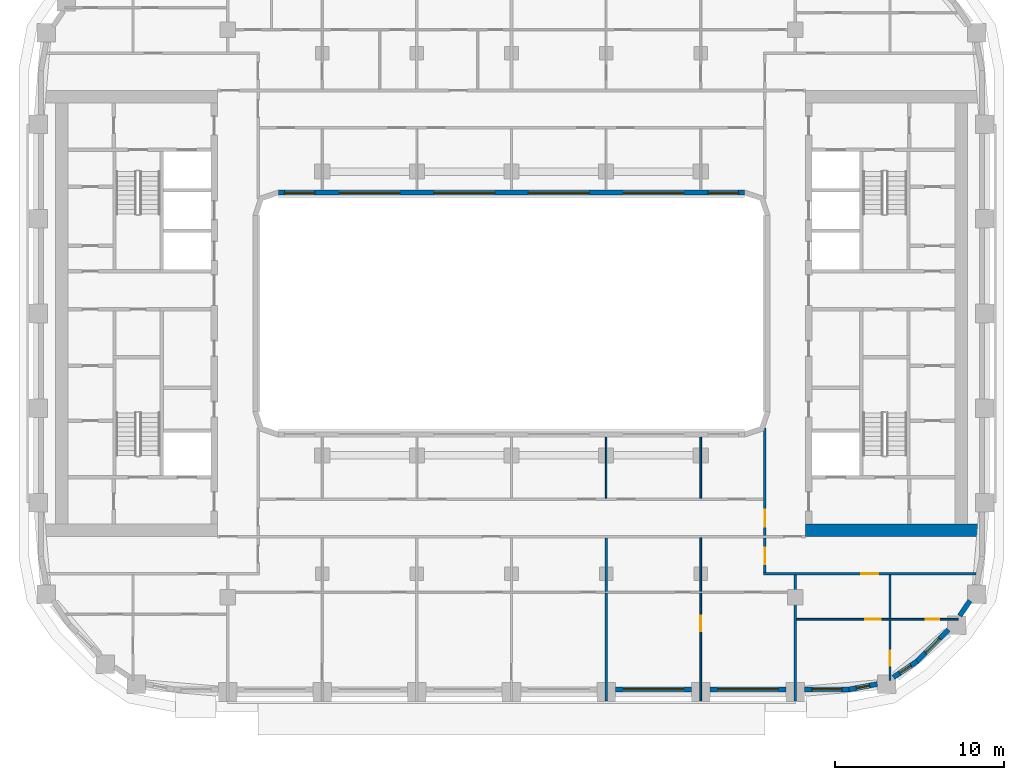
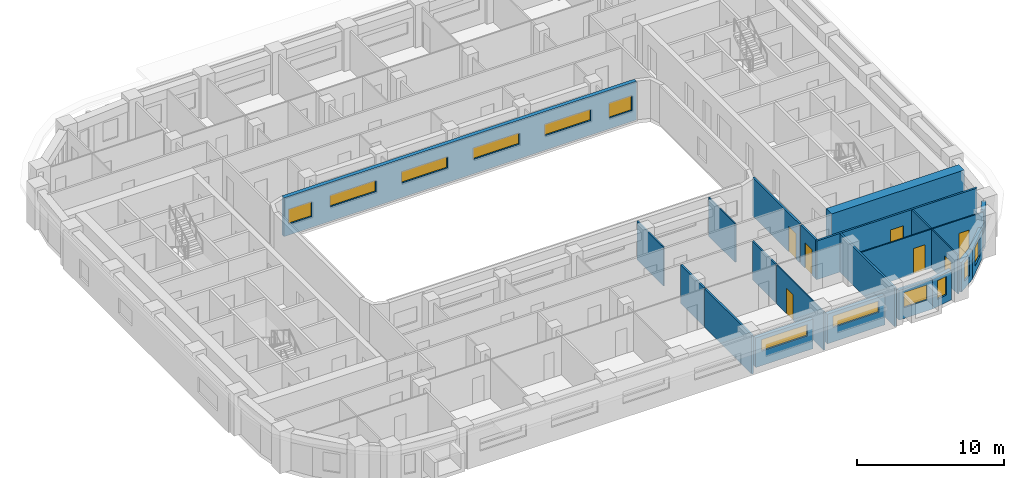
# One storey, part 5 of 22: 22 walls, 12 windows, 7 doors, 19 openings.
"""IFC4 building model written with IfcOpenShell, lengths in metres."""

import ifcopenshell
import ifcopenshell.guid

model = None  # the IFC model being written
_history = None  # IfcOwnerHistory: only IFC2X3 demands one
_inside = {}  # id of a spatial element -> (the spatial element, [elements in it])
_under = {}  # id of a project, library or spatial element -> (it, [spatial elements below it])
_declared = {}  # id of a project -> (the project, [libraries it declares])
_typed = {}  # id of a type object -> (the type object, [elements of that type])
_made_of = {}  # id of a material, layer set ... -> (it, [elements and type objects made of it])


def new_model(schema):
    """Start an empty IFC model of exactly this schema.

    Asked for "IFC4X3", IfcOpenShell would pick the latest addendum, in which some entities
    have other attributes; the version numbers below select the first issue.
    IFC2X3 requires an IfcOwnerHistory on every rooted entity: one is made here for all.
    """
    global model, _history
    if schema == "IFC4X3":
        model = ifcopenshell.file(schema_version=(4, 3, 0, 0))
    else:
        model = ifcopenshell.file(schema=schema)
    _inside.clear()
    _under.clear()
    _declared.clear()
    _typed.clear()
    _made_of.clear()
    _history = None
    if model.schema == "IFC2X3":
        org = make("IfcOrganization", Name="unknown")
        user = make(
            "IfcPersonAndOrganization",
            ThePerson=make("IfcPerson", FamilyName="unknown"),
            TheOrganization=org,
        )
        app = make(
            "IfcApplication",
            ApplicationDeveloper=org,
            Version="unknown",
            ApplicationFullName="unknown",
            ApplicationIdentifier="unknown",
        )
        _history = make(
            "IfcOwnerHistory",
            OwningUser=user,
            OwningApplication=app,
            ChangeAction="ADDED",
            CreationDate=0,
        )
    return model


def make(cls, **values):
    """One entity of the class cls with the attributes given. An attribute that is None is left unset."""
    return model.create_entity(
        cls, **{name: value for name, value in values.items() if value is not None}
    )


def rooted(cls, **values):
    """An entity with a GlobalId (a new one), such as an element, a storey or a relation."""
    return make(cls, GlobalId=ifcopenshell.guid.new(), OwnerHistory=_history, **values)


def si_unit(unit_type, name, prefix=None):
    """IfcSIUnit, for example si_unit("LENGTHUNIT", "METRE", prefix="MILLI")."""
    return make("IfcSIUnit", UnitType=unit_type, Prefix=prefix, Name=name)


def assignment(units):
    """IfcUnitAssignment: the units of a project."""
    return None if units is None else make("IfcUnitAssignment", Units=units)


def point(xyz):
    """IfcCartesianPoint."""
    return None if xyz is None else make("IfcCartesianPoint", Coordinates=xyz)


def direction(xyz):
    """IfcDirection."""
    return None if xyz is None else make("IfcDirection", DirectionRatios=xyz)


def frame(location, z_axis=None, x_axis=None):
    """IfcAxis2Placement3D, a coordinate frame: its origin and axes. An axis left out is left unset."""
    return make(
        "IfcAxis2Placement3D",
        Location=point(location),
        Axis=direction(z_axis),
        RefDirection=direction(x_axis),
    )


def frame_2d(location, x_axis=None):
    """IfcAxis2Placement2D, a coordinate frame in the plane: its origin and x axis."""
    return make(
        "IfcAxis2Placement2D", Location=point(location), RefDirection=direction(x_axis)
    )


def origin():
    """The frame at (0, 0, 0) with its axes left unset."""
    return frame((0.0, 0.0, 0.0))


def place(relative_to, where):
    """IfcLocalPlacement: puts the frame where relative to a parent placement (None: the world)."""
    return make(
        "IfcLocalPlacement", PlacementRelTo=relative_to, RelativePlacement=where
    )


def context(
    kind, dimensions, precision=None, world=None, true_north=None, identifier=None
):
    """IfcGeometricRepresentationContext, for example the 3D "Model" context."""
    return make(
        "IfcGeometricRepresentationContext",
        ContextIdentifier=identifier,
        ContextType=kind,
        CoordinateSpaceDimension=dimensions,
        Precision=precision,
        WorldCoordinateSystem=world,
        TrueNorth=true_north,
    )


def subcontext(parent, identifier, kind, view, scale=None):
    """IfcGeometricRepresentationSubContext, for example "Body" below "Model"."""
    return make(
        "IfcGeometricRepresentationSubContext",
        ContextIdentifier=identifier,
        ContextType=kind,
        ParentContext=parent,
        TargetScale=scale,
        TargetView=view,
    )


def project(units=None, contexts=None):
    """IfcProject with its units and contexts."""
    return rooted(
        "IfcProject",
        Name="project",
        RepresentationContexts=contexts,
        UnitsInContext=assignment(units),
    )


def spatial(cls, under=None, at=None, **own):
    """A site, building, storey or space (cls), placed at a placement, below another one or the project."""
    s = rooted(cls, ObjectPlacement=at, **own)
    if under is not None:
        _under.setdefault(under.id(), (under, []))[1].append(s)
    return s


def profile(cls, at=None, kind="AREA", **sizes):
    """A parametric profile (cls). Its sizes go by their IFC names, for example OverallWidth=200.0."""
    return make(cls, ProfileType=kind, Position=at, **sizes)


def rectangle(**sizes):
    """IfcRectangleProfileDef."""
    return profile("IfcRectangleProfileDef", **sizes)


def extrude(swept, where, along, depth):
    """IfcExtrudedAreaSolid: the profile swept, set in the frame where, extruded along a direction by depth."""
    return make(
        "IfcExtrudedAreaSolid",
        SweptArea=swept,
        Position=where,
        ExtrudedDirection=direction(along),
        Depth=depth,
    )


def shape(context_of_items, identifier, shape_type, items):
    """IfcShapeRepresentation: the items that make up one representation, for example the "Body"."""
    return make(
        "IfcShapeRepresentation",
        ContextOfItems=context_of_items,
        RepresentationIdentifier=identifier,
        RepresentationType=shape_type,
        Items=items,
    )


def material(Name=None, Category=None):
    """IfcMaterial."""
    return make("IfcMaterial", Name=Name, Category=Category)


def layer(
    of_material, thickness, ventilated=None, Name=None, Category=None, Priority=None
):
    """IfcMaterialLayer: one layer of a wall or slab, of a material (None: an air gap)."""
    return make(
        "IfcMaterialLayer",
        Material=of_material,
        LayerThickness=thickness,
        IsVentilated=ventilated,
        Name=Name,
        Category=Category,
        Priority=Priority,
    )


def layer_set(layers, Name=None):
    """IfcMaterialLayerSet."""
    return make("IfcMaterialLayerSet", MaterialLayers=layers, LayerSetName=Name)


def made_of(thing, what):
    """Note that an element or type object is made of a material, layer set ...; save() writes the relation."""
    if what is not None:
        _made_of.setdefault(what.id(), (what, []))[1].append(thing)
    return thing


def type_object(cls, material=None, **own):
    """A type object (cls), such as IfcWallType, which elements share."""
    return made_of(rooted(cls, **own), material)


def element(
    cls,
    number,
    at=None,
    inside=None,
    cuts=None,
    type_object=None,
    material=None,
    context=None,
    identifier="Body",
    shape_type=None,
    held_by="IfcProductDefinitionShape",
    body=None,
    shapes=None,
    **own,
):
    """One element of the class cls, such as IfcWall. Its Tag is "e" and its number.

    at: its placement. inside: the storey or other place that contains it. cuts: it is an
    opening in that element (IfcRelVoidsElement). A single representation is given by context,
    identifier, shape_type and body (its items); several are given by shapes. held_by: the class
    of the entity that holds the representations. save() writes the other relations.
    """
    e = rooted(cls, Tag="e%d" % number, ObjectPlacement=at, **own)
    if body is not None:
        shapes = [shape(context, identifier, shape_type, body)]
    if shapes is not None:
        e.Representation = make(held_by, Representations=shapes)
    if inside is not None:
        _inside.setdefault(inside.id(), (inside, []))[1].append(e)
    if cuts is not None:
        rooted(
            "IfcRelVoidsElement", RelatingBuildingElement=cuts, RelatedOpeningElement=e
        )
    if type_object is not None:
        _typed.setdefault(type_object.id(), (type_object, []))[1].append(e)
    return made_of(e, material)


def fill(opening, filler):
    """IfcRelFillsElement: the door or window that sits in an opening."""
    return rooted(
        "IfcRelFillsElement",
        RelatingOpeningElement=opening,
        RelatedBuildingElement=filler,
    )


def aggregate(whole, parts):
    """IfcRelAggregates: a whole, such as a stair, and the parts it consists of."""
    return rooted("IfcRelAggregates", RelatingObject=whole, RelatedObjects=parts)


def save(model, path):
    """Write the relations noted so far, then the file.

    IfcRelAggregates (storeys below a building ...), IfcRelContainedInSpatialStructure (elements
    in a storey), IfcRelDefinesByType, IfcRelAssociatesMaterial and IfcRelDeclares: one each for
    every whole, place, type object, material and project.
    """
    for whole, parts in _under.values():
        aggregate(whole, parts)
    for where, things in _inside.values():
        rooted(
            "IfcRelContainedInSpatialStructure",
            RelatedElements=things,
            RelatingStructure=where,
        )
    for kind, things in _typed.values():
        rooted("IfcRelDefinesByType", RelatedObjects=things, RelatingType=kind)
    for what, things in _made_of.values():
        rooted("IfcRelAssociatesMaterial", RelatedObjects=things, RelatingMaterial=what)
    for by, libraries in _declared.values():
        rooted("IfcRelDeclares", RelatingContext=by, RelatedDefinitions=libraries)
    model.write(path)


model = new_model("IFC4")

# Units and contexts
model_context = context("Model", 3, precision=1e-05, world=origin(), true_north=direction((0.0, 1.0)))
body_context = subcontext(model_context, "Body", "Model", "MODEL_VIEW")
ifc_project = project(units=[si_unit("LENGTHUNIT", "METRE"), si_unit("AREAUNIT", "SQUARE_METRE"), si_unit("VOLUMEUNIT", "CUBIC_METRE"), si_unit("PLANEANGLEUNIT", "RADIAN"), si_unit("MASSUNIT", "GRAM", prefix="KILO")], contexts=[model_context])

# Site, building, storey
site_placement = place(None, origin())
site = spatial("IfcSite", under=ifc_project, at=site_placement, CompositionType="ELEMENT")
building_placement = place(site_placement, origin())
building = spatial("IfcBuilding", under=site, at=building_placement, Name="Kiln Ring Residences", CompositionType="ELEMENT")
storey_placement = place(building_placement, frame((0.0, 0.0, 150.10009765625)))
storey = spatial("IfcBuildingStorey", under=building, at=storey_placement, Name="L38", CompositionType="ELEMENT", Elevation=150.10009765625)

# Wall
ifc_material_1 = material(Name="Concrete C60/75", Category="concrete")
ifc_layer_1 = layer(ifc_material_1, 0.75)
ifc_layer_set_1 = layer_set([ifc_layer_1], Name="CORE-WALL-RC750")
wall_type_1 = type_object("IfcWallType", Name="CORE-WALL-RC750", PredefinedType="SHEAR", material=ifc_layer_set_1)
wall_1_placement = place(storey_placement, frame((17.39990234375, -12.824951171875, 0.0), z_axis=(0.0, 0.0, 1.0), x_axis=(1.0, 0.0, 0.0)))
element("IfcWall", 1, at=wall_1_placement, inside=storey, type_object=wall_type_1, Name="Core wall east L38 5", PredefinedType="SHEAR", context=body_context, shape_type="SweptSolid", body=[
    extrude(rectangle(XDim=10.400146484375, YDim=0.75, at=frame_2d((5.2001953125, 0.0))), origin(), (0.0, 0.0, 1.0), 3.199951171875),
])

# Wall, opening, window
ifc_material_2 = material(Name="Brick masonry, dark clay brick", Category="masonry")
ifc_layer_2 = layer(ifc_material_2, 0.300048828125)
ifc_layer_set_2 = layer_set([ifc_layer_2], Name="EW-300 BRICK WALL")
wall_type_2 = type_object("IfcWallType", Name="EW-300 BRICK WALL", PredefinedType="SOLIDWALL", material=ifc_layer_set_2)
wall_2_placement = place(storey_placement, frame((6.14990234375, -22.25, 0.0), z_axis=(0.0, 0.0, 1.0), x_axis=(1.0, 0.0, 0.0)))
wall_2 = element("IfcWall", 2, at=wall_2_placement, inside=storey, type_object=wall_type_2, Name="Facade wall L38 9", PredefinedType="SOLIDWALL", context=body_context, shape_type="SweptSolid", body=[
    extrude(rectangle(XDim=4.5, YDim=0.300048828125, at=frame_2d((2.25, 0.0))), origin(), (0.0, 0.0, 1.0), 2.449951171875),
])
opening_1_placement = place(wall_2_placement, frame((0.449951171875, 0.0, 1.199951171875)))
opening_1 = element("IfcOpeningElement", 3, at=opening_1_placement, cuts=wall_2, Name="Opening W4", PredefinedType="OPENING", context=body_context, shape_type="SweptSolid", body=[
    extrude(rectangle(XDim=3.60009765625, YDim=0.949951171875, at=frame_2d((1.800048828125, 0.47509765625))), frame((0.0, 0.159912109375, 0.0), z_axis=(0.0, -1.0, 0.0), x_axis=(1.0, 0.0, 0.0)), (0.0, 0.0, 1.0), 0.320068359375),
])
ifc_material_3 = material(Name="Aluminium frame with double glazing", Category="aluminium")
window_type_1 = type_object("IfcWindowType", Name="WINDOW 3600 x 950", PartitioningType="SINGLE_PANEL", PredefinedType="WINDOW", material=ifc_material_3)
window_1_placement = place(opening_1_placement, origin())
window_1 = element("IfcWindow", 4, at=window_1_placement, inside=storey, type_object=window_type_1, Name="Window L38 8", OverallHeight=0.949951171875, OverallWidth=3.60009765625, PartitioningType="SINGLE_PANEL", PredefinedType="WINDOW", context=body_context, shape_type="SweptSolid", body=[
    extrude(rectangle(XDim=3.60009765625, YDim=0.949951171875, at=frame_2d((1.800048828125, 0.47509765625))), frame((0.0, 0.030029296875, 0.0), z_axis=(0.0, -1.0, 0.0), x_axis=(1.0, 0.0, 0.0)), (0.0, 0.0, 1.0), 0.06005859375),
])
fill(opening_1, window_1)

wall_3_placement = place(storey_placement, frame((11.75, -22.25, 0.0), z_axis=(0.0, 0.0, 1.0), x_axis=(1.0, 0.0, 0.0)))
wall_3 = element("IfcWall", 5, at=wall_3_placement, inside=storey, type_object=wall_type_2, Name="Facade wall L38 10", PredefinedType="SOLIDWALL", context=body_context, shape_type="SweptSolid", body=[
    extrude(rectangle(XDim=4.5, YDim=0.300048828125, at=frame_2d((2.25, 0.0))), origin(), (0.0, 0.0, 1.0), 2.449951171875),
])
opening_2_placement = place(wall_3_placement, frame((0.449951171875, 0.0, 1.199951171875)))
opening_2 = element("IfcOpeningElement", 6, at=opening_2_placement, cuts=wall_3, Name="Opening W4", PredefinedType="OPENING", context=body_context, shape_type="SweptSolid", body=[
    extrude(rectangle(XDim=3.60009765625, YDim=0.949951171875, at=frame_2d((1.800048828125, 0.47509765625))), frame((0.0, 0.159912109375, 0.0), z_axis=(0.0, -1.0, 0.0), x_axis=(1.0, 0.0, 0.0)), (0.0, 0.0, 1.0), 0.320068359375),
])
window_2_placement = place(opening_2_placement, origin())
window_2 = element("IfcWindow", 7, at=window_2_placement, inside=storey, type_object=window_type_1, Name="Window L38 9", OverallHeight=0.949951171875, OverallWidth=3.60009765625, PartitioningType="SINGLE_PANEL", PredefinedType="WINDOW", context=body_context, shape_type="SweptSolid", body=[
    extrude(rectangle(XDim=3.60009765625, YDim=0.949951171875, at=frame_2d((1.800048828125, 0.47509765625))), frame((0.0, 0.030029296875, 0.0), z_axis=(0.0, -1.0, 0.0), x_axis=(1.0, 0.0, 0.0)), (0.0, 0.0, 1.0), 0.06005859375),
])
fill(opening_2, window_2)

wall_4_placement = place(storey_placement, frame((17.35009765625, -22.25, 0.0), z_axis=(0.0, 0.0, 1.0), x_axis=(1.0, 0.0, 0.0)))
wall_4 = element("IfcWall", 8, at=wall_4_placement, inside=storey, type_object=wall_type_2, Name="Facade wall L38 11", PredefinedType="SOLIDWALL", context=body_context, shape_type="SweptSolid", body=[
    extrude(rectangle(XDim=2.64990234375, YDim=0.300048828125, at=frame_2d((1.324951171875, 0.0))), origin(), (0.0, 0.0, 1.0), 2.449951171875),
])
opening_3_placement = place(wall_4_placement, frame((0.425048828125, 0.0, 0.89990234375)))
opening_3 = element("IfcOpeningElement", 9, at=opening_3_placement, cuts=wall_4, Name="Opening W2", PredefinedType="OPENING", context=body_context, shape_type="SweptSolid", body=[
    extrude(rectangle(XDim=1.800048828125, YDim=1.25, at=frame_2d((0.89990234375, 0.625))), frame((0.0, 0.159912109375, 0.0), z_axis=(0.0, -1.0, 0.0), x_axis=(1.0, 0.0, 0.0)), (0.0, 0.0, 1.0), 0.320068359375),
])
ifc_material_4 = material(Name="Aluminium frame with double glazing", Category="aluminium")
window_type_2 = type_object("IfcWindowType", Name="WINDOW 1800 x 1250", PartitioningType="SINGLE_PANEL", PredefinedType="WINDOW", material=ifc_material_4)
window_3_placement = place(opening_3_placement, origin())
window_3 = element("IfcWindow", 10, at=window_3_placement, inside=storey, type_object=window_type_2, Name="Window L38 10", OverallHeight=1.25, OverallWidth=1.800048828125, PartitioningType="SINGLE_PANEL", PredefinedType="WINDOW", context=body_context, shape_type="SweptSolid", body=[
    extrude(rectangle(XDim=1.800048828125, YDim=1.25, at=frame_2d((0.89990234375, 0.625))), frame((0.0, 0.030029296875, 0.0), z_axis=(0.0, -1.0, 0.0), x_axis=(1.0, 0.0, 0.0)), (0.0, 0.0, 1.0), 0.06005859375),
])
fill(opening_3, window_3)

wall_5_placement = place(storey_placement, frame((19.971923828125, -22.252685546875, 0.0), z_axis=(0.0, 0.0, 1.0), x_axis=(0.982297206936, 0.187329114784, 0.0)))
wall_5 = element("IfcWall", 11, at=wall_5_placement, inside=storey, type_object=wall_type_2, Name="Facade wall L38 12", PredefinedType="SOLIDWALL", context=body_context, shape_type="SweptSolid", body=[
    extrude(rectangle(XDim=1.7060546875, YDim=0.300048828125, at=frame_2d((0.85302734375, 0.0))), origin(), (0.0, 0.0, 1.0), 2.449951171875),
])
opening_4_placement = place(wall_5_placement, frame((0.453125, 0.0, 0.60009765625)))
opening_4 = element("IfcOpeningElement", 12, at=opening_4_placement, cuts=wall_5, Name="Opening W5", PredefinedType="OPENING", context=body_context, shape_type="SweptSolid", body=[
    extrude(rectangle(XDim=0.800048828125, YDim=1.550048828125, at=frame_2d((0.39990234375, 0.77490234375))), frame((0.0, 0.159912109375, 0.0), z_axis=(0.0, -1.0, 0.0), x_axis=(1.0, 0.0, 0.0)), (0.0, 0.0, 1.0), 0.320068359375),
])
ifc_material_5 = material(Name="Aluminium frame with double glazing", Category="aluminium")
window_type_3 = type_object("IfcWindowType", Name="WINDOW 800 x 1550", PartitioningType="SINGLE_PANEL", PredefinedType="WINDOW", material=ifc_material_5)
window_4_placement = place(opening_4_placement, origin())
window_4 = element("IfcWindow", 13, at=window_4_placement, inside=storey, type_object=window_type_3, Name="Window L38 11", OverallHeight=1.550048828125, OverallWidth=0.800048828125, PartitioningType="SINGLE_PANEL", PredefinedType="WINDOW", context=body_context, shape_type="SweptSolid", body=[
    extrude(rectangle(XDim=0.800048828125, YDim=1.550048828125, at=frame_2d((0.39990234375, 0.77490234375))), frame((0.0, 0.030029296875, 0.0), z_axis=(0.0, -1.0, 0.0), x_axis=(1.0, 0.0, 0.0)), (0.0, 0.0, 1.0), 0.06005859375),
])
fill(opening_4, window_4)

wall_6_placement = place(storey_placement, frame((22.601806640625, -21.537841796875, 0.0), z_axis=(0.0, 0.0, 1.0), x_axis=(0.827040942766, 0.562141689424, 0.0)))
wall_6 = element("IfcWall", 14, at=wall_6_placement, inside=storey, type_object=wall_type_2, Name="Facade wall L38 13", PredefinedType="SOLIDWALL", context=body_context, shape_type="SweptSolid", body=[
    extrude(rectangle(XDim=1.7060546875, YDim=0.300048828125, at=frame_2d((0.85302734375, 0.0))), origin(), (0.0, 0.0, 1.0), 2.449951171875),
])
opening_5_placement = place(wall_6_placement, frame((0.453125, 0.0, 0.60009765625)))
opening_5 = element("IfcOpeningElement", 15, at=opening_5_placement, cuts=wall_6, Name="Opening W5", PredefinedType="OPENING", context=body_context, shape_type="SweptSolid", body=[
    extrude(rectangle(XDim=0.800048828125, YDim=1.550048828125, at=frame_2d((0.39990234375, 0.77490234375))), frame((0.0, 0.159912109375, 0.0), z_axis=(0.0, -1.0, 0.0), x_axis=(1.0, 0.0, 0.0)), (0.0, 0.0, 1.0), 0.320068359375),
])
window_5_placement = place(opening_5_placement, origin())
window_5 = element("IfcWindow", 16, at=window_5_placement, inside=storey, type_object=window_type_3, Name="Window L38 12", OverallHeight=1.550048828125, OverallWidth=0.800048828125, PartitioningType="SINGLE_PANEL", PredefinedType="WINDOW", context=body_context, shape_type="SweptSolid", body=[
    extrude(rectangle(XDim=0.800048828125, YDim=1.550048828125, at=frame_2d((0.39990234375, 0.77490234375))), frame((0.0, 0.030029296875, 0.0), z_axis=(0.0, -1.0, 0.0), x_axis=(1.0, 0.0, 0.0)), (0.0, 0.0, 1.0), 0.06005859375),
])
fill(opening_5, window_5)

wall_7_placement = place(storey_placement, frame((23.990966796875, -20.596923828125, 0.0), z_axis=(0.0, 0.0, 1.0), x_axis=(0.707106781187, 0.707106781187, 0.0)))
wall_7 = element("IfcWall", 17, at=wall_7_placement, inside=storey, type_object=wall_type_2, Name="Facade wall L38 14", PredefinedType="SOLIDWALL", context=body_context, shape_type="SweptSolid", body=[
    extrude(rectangle(XDim=2.64990234375, YDim=0.300048828125, at=frame_2d((1.324951171875, 0.0))), origin(), (0.0, 0.0, 1.0), 2.449951171875),
])
opening_6_placement = place(wall_7_placement, frame((0.72509765625, 0.0, 0.60009765625)))
opening_6 = element("IfcOpeningElement", 18, at=opening_6_placement, cuts=wall_7, Name="Opening W1", PredefinedType="OPENING", context=body_context, shape_type="SweptSolid", body=[
    extrude(rectangle(XDim=1.199951171875, YDim=1.550048828125, at=frame_2d((0.60009765625, 0.77490234375))), frame((0.0, 0.159912109375, 0.0), z_axis=(0.0, -1.0, 0.0), x_axis=(1.0, 0.0, 0.0)), (0.0, 0.0, 1.0), 0.320068359375),
])
ifc_material_6 = material(Name="Aluminium frame with double glazing", Category="aluminium")
window_type_4 = type_object("IfcWindowType", Name="WINDOW 1200 x 1550", PartitioningType="SINGLE_PANEL", PredefinedType="WINDOW", material=ifc_material_6)
window_6_placement = place(opening_6_placement, origin())
window_6 = element("IfcWindow", 19, at=window_6_placement, inside=storey, type_object=window_type_4, Name="Window L38 13", OverallHeight=1.550048828125, OverallWidth=1.199951171875, PartitioningType="SINGLE_PANEL", PredefinedType="WINDOW", context=body_context, shape_type="SweptSolid", body=[
    extrude(rectangle(XDim=1.199951171875, YDim=1.550048828125, at=frame_2d((0.60009765625, 0.77490234375))), frame((0.0, 0.030029296875, 0.0), z_axis=(0.0, -1.0, 0.0), x_axis=(1.0, 0.0, 0.0)), (0.0, 0.0, 1.0), 0.06005859375),
])
fill(opening_6, window_6)

# Wall
wall_8_placement = place(storey_placement, frame((26.532470703125, -17.892578125, 0.0), z_axis=(0.0, 0.0, 1.0), x_axis=(0.562105419172, 0.82706559458, 0.0)))
element("IfcWall", 20, at=wall_8_placement, inside=storey, type_object=wall_type_2, Name="Facade wall L38 15", PredefinedType="SOLIDWALL", context=body_context, shape_type="SweptSolid", body=[
    extrude(rectangle(XDim=1.0771484375, YDim=0.300048828125, at=frame_2d((0.53857421875, 0.0))), origin(), (0.0, 0.0, 1.0), 3.199951171875),
])

# Wall, openings, windows
wall_9_placement = place(storey_placement, frame((-13.800048828125, 7.14990234375, 0.0), z_axis=(0.0, 0.0, 1.0), x_axis=(1.0, 0.0, 0.0)))
wall_9 = element("IfcWall", 21, at=wall_9_placement, inside=storey, type_object=wall_type_2, Name="Facade wall L38 50", PredefinedType="SOLIDWALL", context=body_context, shape_type="SweptSolid", body=[
    extrude(rectangle(XDim=27.60009765625, YDim=0.300048828125, at=frame_2d((13.800048828125, 0.0))), origin(), (0.0, 0.0, 1.0), 3.199951171875),
])
opening_7_placement = place(wall_9_placement, frame((0.362548828125, 0.0, 0.89990234375)))
opening_7 = element("IfcOpeningElement", 22, at=opening_7_placement, cuts=wall_9, Name="Opening W2", PredefinedType="OPENING", context=body_context, shape_type="SweptSolid", body=[
    extrude(rectangle(XDim=1.800048828125, YDim=1.25, at=frame_2d((0.89990234375, 0.625))), frame((0.0, 0.159912109375, 0.0), z_axis=(0.0, -1.0, 0.0), x_axis=(1.0, 0.0, 0.0)), (0.0, 0.0, 1.0), 0.320068359375),
])
opening_8_placement = place(wall_9_placement, frame((3.60009765625, 0.0, 1.199951171875)))
opening_8 = element("IfcOpeningElement", 23, at=opening_8_placement, cuts=wall_9, Name="Opening W4", PredefinedType="OPENING", context=body_context, shape_type="SweptSolid", body=[
    extrude(rectangle(XDim=3.60009765625, YDim=0.949951171875, at=frame_2d((1.800048828125, 0.47509765625))), frame((0.0, 0.159912109375, 0.0), z_axis=(0.0, -1.0, 0.0), x_axis=(1.0, 0.0, 0.0)), (0.0, 0.0, 1.0), 0.320068359375),
])
opening_9_placement = place(wall_9_placement, frame((9.199951171875, 0.0, 1.199951171875)))
opening_9 = element("IfcOpeningElement", 24, at=opening_9_placement, cuts=wall_9, Name="Opening W4", PredefinedType="OPENING", context=body_context, shape_type="SweptSolid", body=[
    extrude(rectangle(XDim=3.60009765625, YDim=0.949951171875, at=frame_2d((1.800048828125, 0.47509765625))), frame((0.0, 0.159912109375, 0.0), z_axis=(0.0, -1.0, 0.0), x_axis=(1.0, 0.0, 0.0)), (0.0, 0.0, 1.0), 0.320068359375),
])
opening_10_placement = place(wall_9_placement, frame((14.800048828125, 0.0, 1.199951171875)))
opening_10 = element("IfcOpeningElement", 25, at=opening_10_placement, cuts=wall_9, Name="Opening W4", PredefinedType="OPENING", context=body_context, shape_type="SweptSolid", body=[
    extrude(rectangle(XDim=3.60009765625, YDim=0.949951171875, at=frame_2d((1.800048828125, 0.47509765625))), frame((0.0, 0.159912109375, 0.0), z_axis=(0.0, -1.0, 0.0), x_axis=(1.0, 0.0, 0.0)), (0.0, 0.0, 1.0), 0.320068359375),
])
opening_11_placement = place(wall_9_placement, frame((20.39990234375, 0.0, 1.199951171875)))
opening_11 = element("IfcOpeningElement", 26, at=opening_11_placement, cuts=wall_9, Name="Opening W4", PredefinedType="OPENING", context=body_context, shape_type="SweptSolid", body=[
    extrude(rectangle(XDim=3.60009765625, YDim=0.949951171875, at=frame_2d((1.800048828125, 0.47509765625))), frame((0.0, 0.159912109375, 0.0), z_axis=(0.0, -1.0, 0.0), x_axis=(1.0, 0.0, 0.0)), (0.0, 0.0, 1.0), 0.320068359375),
])
opening_12_placement = place(wall_9_placement, frame((25.4375, 0.0, 0.89990234375)))
opening_12 = element("IfcOpeningElement", 27, at=opening_12_placement, cuts=wall_9, Name="Opening W2", PredefinedType="OPENING", context=body_context, shape_type="SweptSolid", body=[
    extrude(rectangle(XDim=1.800048828125, YDim=1.25, at=frame_2d((0.89990234375, 0.625))), frame((0.0, 0.159912109375, 0.0), z_axis=(0.0, -1.0, 0.0), x_axis=(1.0, 0.0, 0.0)), (0.0, 0.0, 1.0), 0.320068359375),
])
window_7_placement = place(opening_7_placement, origin())
window_7 = element("IfcWindow", 28, at=window_7_placement, inside=storey, type_object=window_type_2, Name="Window L38 28", OverallHeight=1.25, OverallWidth=1.800048828125, PartitioningType="SINGLE_PANEL", PredefinedType="WINDOW", context=body_context, shape_type="SweptSolid", body=[
    extrude(rectangle(XDim=1.800048828125, YDim=1.25, at=frame_2d((0.89990234375, 0.625))), frame((0.0, 0.030029296875, 0.0), z_axis=(0.0, -1.0, 0.0), x_axis=(1.0, 0.0, 0.0)), (0.0, 0.0, 1.0), 0.06005859375),
])
fill(opening_7, window_7)
window_8_placement = place(opening_12_placement, origin())
window_8 = element("IfcWindow", 29, at=window_8_placement, inside=storey, type_object=window_type_2, Name="Window L38 33", OverallHeight=1.25, OverallWidth=1.800048828125, PartitioningType="SINGLE_PANEL", PredefinedType="WINDOW", context=body_context, shape_type="SweptSolid", body=[
    extrude(rectangle(XDim=1.800048828125, YDim=1.25, at=frame_2d((0.89990234375, 0.625))), frame((0.0, 0.030029296875, 0.0), z_axis=(0.0, -1.0, 0.0), x_axis=(1.0, 0.0, 0.0)), (0.0, 0.0, 1.0), 0.06005859375),
])
fill(opening_12, window_8)
window_9_placement = place(opening_8_placement, origin())
window_9 = element("IfcWindow", 30, at=window_9_placement, inside=storey, type_object=window_type_1, Name="Window L38 29", OverallHeight=0.949951171875, OverallWidth=3.60009765625, PartitioningType="SINGLE_PANEL", PredefinedType="WINDOW", context=body_context, shape_type="SweptSolid", body=[
    extrude(rectangle(XDim=3.60009765625, YDim=0.949951171875, at=frame_2d((1.800048828125, 0.47509765625))), frame((0.0, 0.030029296875, 0.0), z_axis=(0.0, -1.0, 0.0), x_axis=(1.0, 0.0, 0.0)), (0.0, 0.0, 1.0), 0.06005859375),
])
fill(opening_8, window_9)
window_10_placement = place(opening_9_placement, origin())
window_10 = element("IfcWindow", 31, at=window_10_placement, inside=storey, type_object=window_type_1, Name="Window L38 30", OverallHeight=0.949951171875, OverallWidth=3.60009765625, PartitioningType="SINGLE_PANEL", PredefinedType="WINDOW", context=body_context, shape_type="SweptSolid", body=[
    extrude(rectangle(XDim=3.60009765625, YDim=0.949951171875, at=frame_2d((1.800048828125, 0.47509765625))), frame((0.0, 0.030029296875, 0.0), z_axis=(0.0, -1.0, 0.0), x_axis=(1.0, 0.0, 0.0)), (0.0, 0.0, 1.0), 0.06005859375),
])
fill(opening_9, window_10)
window_11_placement = place(opening_10_placement, origin())
window_11 = element("IfcWindow", 32, at=window_11_placement, inside=storey, type_object=window_type_1, Name="Window L38 31", OverallHeight=0.949951171875, OverallWidth=3.60009765625, PartitioningType="SINGLE_PANEL", PredefinedType="WINDOW", context=body_context, shape_type="SweptSolid", body=[
    extrude(rectangle(XDim=3.60009765625, YDim=0.949951171875, at=frame_2d((1.800048828125, 0.47509765625))), frame((0.0, 0.030029296875, 0.0), z_axis=(0.0, -1.0, 0.0), x_axis=(1.0, 0.0, 0.0)), (0.0, 0.0, 1.0), 0.06005859375),
])
fill(opening_10, window_11)
window_12_placement = place(opening_11_placement, origin())
window_12 = element("IfcWindow", 33, at=window_12_placement, inside=storey, type_object=window_type_1, Name="Window L38 32", OverallHeight=0.949951171875, OverallWidth=3.60009765625, PartitioningType="SINGLE_PANEL", PredefinedType="WINDOW", context=body_context, shape_type="SweptSolid", body=[
    extrude(rectangle(XDim=3.60009765625, YDim=0.949951171875, at=frame_2d((1.800048828125, 0.47509765625))), frame((0.0, 0.030029296875, 0.0), z_axis=(0.0, -1.0, 0.0), x_axis=(1.0, 0.0, 0.0)), (0.0, 0.0, 1.0), 0.06005859375),
])
fill(opening_11, window_12)

# Wall, openings, doors
ifc_material_7 = material(Name="Gypsum board on steel studs", Category="steel")
ifc_layer_3 = layer(ifc_material_7, 0.10009765625)
ifc_layer_set_3 = layer_set([ifc_layer_3], Name="PARTITION-100")
wall_type_3 = type_object("IfcWallType", Name="PARTITION-100", PredefinedType="PARTITIONING", material=ifc_layer_set_3)
wall_10_placement = place(storey_placement, frame((16.875, -18.10009765625, 0.0), z_axis=(0.0, 0.0, 1.0), x_axis=(1.0, 0.0, 0.0)))
wall_10 = element("IfcWall", 34, at=wall_10_placement, inside=storey, type_object=wall_type_3, Name="Partition 000", PredefinedType="PARTITIONING", context=body_context, shape_type="SweptSolid", body=[
    extrude(rectangle(XDim=9.56494140625, YDim=0.10009765625, at=frame_2d((4.782470703125, 0.0))), origin(), (0.0, 0.0, 1.0), 3.199951171875),
])
opening_13_placement = place(wall_10_placement, frame((7.638916015625, 0.0, 0.0)))
opening_13 = element("IfcOpeningElement", 35, at=opening_13_placement, cuts=wall_10, Name="Opening L38-D057", PredefinedType="OPENING", context=body_context, shape_type="SweptSolid", body=[
    extrude(rectangle(XDim=0.800048828125, YDim=2.10009765625, at=frame_2d((0.39990234375, 1.050048828125))), frame((0.0, 0.06005859375, 0.0), z_axis=(0.0, -1.0, 0.0), x_axis=(1.0, 0.0, 0.0)), (0.0, 0.0, 1.0), 0.1201171875),
])
opening_14_placement = place(wall_10_placement, frame((4.074951171875, 0.0, 0.0)))
opening_14 = element("IfcOpeningElement", 36, at=opening_14_placement, cuts=wall_10, Name="Opening L38-D058", PredefinedType="OPENING", context=body_context, shape_type="SweptSolid", body=[
    extrude(rectangle(XDim=0.89990234375, YDim=2.10009765625, at=frame_2d((0.449951171875, 1.050048828125))), frame((0.0, 0.06005859375, 0.0), z_axis=(0.0, -1.0, 0.0), x_axis=(1.0, 0.0, 0.0)), (0.0, 0.0, 1.0), 0.1201171875),
])
ifc_material_8 = material(Name="Timber door leaf", Category="wood")
door_type_1 = type_object("IfcDoorType", Name="FLAT-DOOR-800-PL", OperationType="SINGLE_SWING_LEFT", PredefinedType="DOOR", material=ifc_material_8)
door_1_placement = place(opening_13_placement, origin())
door_1 = element("IfcDoor", 37, at=door_1_placement, inside=storey, type_object=door_type_1, Name="Door L38-D057", OperationType="SINGLE_SWING_LEFT", OverallHeight=2.10009765625, OverallWidth=0.800048828125, PredefinedType="DOOR", context=body_context, shape_type="SweptSolid", body=[
    extrude(rectangle(XDim=0.800048828125, YDim=2.10009765625, at=frame_2d((0.39990234375, 1.050048828125))), frame((0.0, 0.02490234375, 0.0), z_axis=(0.0, -1.0, 0.0), x_axis=(1.0, 0.0, 0.0)), (0.0, 0.0, 1.0), 0.050048828125),
])
fill(opening_13, door_1)
ifc_material_9 = material(Name="Timber door leaf", Category="wood")
door_type_2 = type_object("IfcDoorType", Name="FLAT-DOOR-900-PL", OperationType="SINGLE_SWING_LEFT", PredefinedType="DOOR", material=ifc_material_9)
door_2_placement = place(opening_14_placement, origin())
door_2 = element("IfcDoor", 38, at=door_2_placement, inside=storey, type_object=door_type_2, Name="Door L38-D058", OperationType="SINGLE_SWING_RIGHT", OverallHeight=2.10009765625, OverallWidth=0.89990234375, PredefinedType="DOOR", context=body_context, shape_type="SweptSolid", body=[
    extrude(rectangle(XDim=0.89990234375, YDim=2.10009765625, at=frame_2d((0.449951171875, 1.050048828125))), frame((0.0, 0.02490234375, 0.0), z_axis=(0.0, -1.0, 0.0), x_axis=(1.0, 0.0, 0.0)), (0.0, 0.0, 1.0), 0.050048828125),
])
fill(opening_14, door_2)

# Wall
wall_11_placement = place(storey_placement, frame((5.60009765625, -10.925048828125, 0.0), z_axis=(0.0, 0.0, 1.0), x_axis=(0.0, 1.0, 0.0)))
element("IfcWall", 39, at=wall_11_placement, inside=storey, type_object=wall_type_3, Name="Partition 045", PredefinedType="PARTITIONING", context=body_context, shape_type="SweptSolid", body=[
    extrude(rectangle(XDim=3.60498046875, YDim=0.10009765625, at=frame_2d((1.802490234375, 0.0))), origin(), (0.0, 0.0, 1.0), 3.199951171875),
])

# Wall, opening, door
wall_12_placement = place(storey_placement, frame((11.199951171875, -22.929931640625, 0.0), z_axis=(0.0, 0.0, 1.0), x_axis=(0.0, 1.0, 0.0)))
wall_12 = element("IfcWall", 40, at=wall_12_placement, inside=storey, type_object=wall_type_3, Name="Partition 051", PredefinedType="PARTITIONING", context=body_context, shape_type="SweptSolid", body=[
    extrude(rectangle(XDim=6.3798828125, YDim=0.10009765625, at=frame_2d((3.18994140625, 0.0))), origin(), (0.0, 0.0, 1.0), 3.199951171875),
])
opening_15_placement = place(wall_12_placement, frame((4.1298828125, 0.0, 0.0)))
opening_15 = element("IfcOpeningElement", 41, at=opening_15_placement, cuts=wall_12, Name="Opening L38-D055", PredefinedType="OPENING", context=body_context, shape_type="SweptSolid", body=[
    extrude(rectangle(XDim=0.89990234375, YDim=2.10009765625, at=frame_2d((0.449951171875, 1.050048828125))), frame((0.0, 0.06005859375, 0.0), z_axis=(0.0, -1.0, 0.0), x_axis=(1.0, 0.0, 0.0)), (0.0, 0.0, 1.0), 0.1201171875),
])
door_3_placement = place(opening_15_placement, origin())
door_3 = element("IfcDoor", 42, at=door_3_placement, inside=storey, type_object=door_type_2, Name="Door L38-D055", OperationType="SINGLE_SWING_LEFT", OverallHeight=2.10009765625, OverallWidth=0.89990234375, PredefinedType="DOOR", context=body_context, shape_type="SweptSolid", body=[
    extrude(rectangle(XDim=0.89990234375, YDim=2.10009765625, at=frame_2d((0.449951171875, 1.050048828125))), frame((0.0, 0.02490234375, 0.0), z_axis=(0.0, -1.0, 0.0), x_axis=(1.0, 0.0, 0.0)), (0.0, 0.0, 1.0), 0.050048828125),
])
fill(opening_15, door_3)

# Walls
wall_13_placement = place(storey_placement, frame((11.199951171875, -16.449951171875, 0.0), z_axis=(0.0, 0.0, 1.0), x_axis=(0.0, 1.0, 0.0)))
element("IfcWall", 43, at=wall_13_placement, inside=storey, type_object=wall_type_3, Name="Partition 052", PredefinedType="PARTITIONING", context=body_context, shape_type="SweptSolid", body=[
    extrude(rectangle(XDim=3.175048828125, YDim=0.10009765625, at=frame_2d((1.58740234375, 0.0))), origin(), (0.0, 0.0, 1.0), 3.199951171875),
])
wall_14_placement = place(storey_placement, frame((11.199951171875, -10.925048828125, 0.0), z_axis=(0.0, 0.0, 1.0), x_axis=(0.0, 1.0, 0.0)))
element("IfcWall", 44, at=wall_14_placement, inside=storey, type_object=wall_type_3, Name="Partition 053", PredefinedType="PARTITIONING", context=body_context, shape_type="SweptSolid", body=[
    extrude(rectangle(XDim=3.60498046875, YDim=0.10009765625, at=frame_2d((1.802490234375, 0.0))), origin(), (0.0, 0.0, 1.0), 3.199951171875),
])

# Wall, opening, door
wall_15_placement = place(storey_placement, frame((22.39990234375, -21.719970703125, 0.0), z_axis=(0.0, 0.0, 1.0), x_axis=(0.0, 1.0, 0.0)))
wall_15 = element("IfcWall", 45, at=wall_15_placement, inside=storey, type_object=wall_type_3, Name="Partition 063", PredefinedType="PARTITIONING", context=body_context, shape_type="SweptSolid", body=[
    extrude(rectangle(XDim=3.570068359375, YDim=0.10009765625, at=frame_2d((1.78515625, 0.0))), origin(), (0.0, 0.0, 1.0), 3.199951171875),
])
opening_16_placement = place(wall_15_placement, frame((0.8720703125, 0.0, 0.0)))
opening_16 = element("IfcOpeningElement", 46, at=opening_16_placement, cuts=wall_15, Name="Opening L38-D059", PredefinedType="OPENING", context=body_context, shape_type="SweptSolid", body=[
    extrude(rectangle(XDim=0.89990234375, YDim=2.10009765625, at=frame_2d((0.449951171875, 1.050048828125))), frame((0.0, 0.06005859375, 0.0), z_axis=(0.0, -1.0, 0.0), x_axis=(1.0, 0.0, 0.0)), (0.0, 0.0, 1.0), 0.1201171875),
])
door_4_placement = place(opening_16_placement, origin())
door_4 = element("IfcDoor", 47, at=door_4_placement, inside=storey, type_object=door_type_2, Name="Door L38-D059", OperationType="SINGLE_SWING_LEFT", OverallHeight=2.10009765625, OverallWidth=0.89990234375, PredefinedType="DOOR", context=body_context, shape_type="SweptSolid", body=[
    extrude(rectangle(XDim=0.89990234375, YDim=2.10009765625, at=frame_2d((0.449951171875, 1.050048828125))), frame((0.0, 0.02490234375, 0.0), z_axis=(0.0, -1.0, 0.0), x_axis=(1.0, 0.0, 0.0)), (0.0, 0.0, 1.0), 0.050048828125),
])
fill(opening_16, door_4)

# Wall
wall_16_placement = place(storey_placement, frame((22.39990234375, -18.050048828125, 0.0), z_axis=(0.0, 0.0, 1.0), x_axis=(0.0, 1.0, 0.0)))
element("IfcWall", 48, at=wall_16_placement, inside=storey, type_object=wall_type_3, Name="Partition 064", PredefinedType="PARTITIONING", context=body_context, shape_type="SweptSolid", body=[
    extrude(rectangle(XDim=2.574951171875, YDim=0.10009765625, at=frame_2d((1.28759765625, 0.0))), origin(), (0.0, 0.0, 1.0), 3.199951171875),
])

# Wall, opening, door
ifc_material_10 = material(Name="Brick masonry partition", Category="masonry")
ifc_layer_4 = layer(ifc_material_10, 0.14990234375)
ifc_layer_set_4 = layer_set([ifc_layer_4], Name="PARTITION-150-ei60")
wall_type_4 = type_object("IfcWallType", Name="PARTITION-150-ei60", PredefinedType="PARTITIONING", material=ifc_layer_set_4)
wall_17_placement = place(storey_placement, frame((14.925048828125, -15.39990234375, 0.0), z_axis=(0.0, 0.0, 1.0), x_axis=(1.0, 0.0, 0.0)))
wall_17 = element("IfcWall", 49, at=wall_17_placement, inside=storey, type_object=wall_type_4, Name="Partition 004", PredefinedType="PARTITIONING", context=body_context, shape_type="SweptSolid", body=[
    extrude(rectangle(XDim=12.558837890625, YDim=0.14990234375, at=frame_2d((6.279296875, 0.0))), origin(), (0.0, 0.0, 1.0), 3.199951171875),
])
opening_17_placement = place(wall_17_placement, frame((5.77490234375, 0.0, 0.0)))
opening_17 = element("IfcOpeningElement", 50, at=opening_17_placement, cuts=wall_17, Name="Opening L38-D056", PredefinedType="OPENING", context=body_context, shape_type="SweptSolid", body=[
    extrude(rectangle(XDim=1.0, YDim=2.10009765625, at=frame_2d((0.5, 1.050048828125))), frame((0.0, 0.0849609375, 0.0), z_axis=(0.0, -1.0, 0.0), x_axis=(1.0, 0.0, 0.0)), (0.0, 0.0, 1.0), 0.169921875),
])
ifc_material_11 = material(Name="Steel faced fire door leaf", Category="steel")
door_type_3 = type_object("IfcDoorType", Name="FLAT-DOOR-1000-FR", OperationType="SINGLE_SWING_LEFT", PredefinedType="DOOR", material=ifc_material_11)
door_5_placement = place(opening_17_placement, origin())
door_5 = element("IfcDoor", 51, at=door_5_placement, inside=storey, type_object=door_type_3, Name="Door L38-D056", OperationType="SINGLE_SWING_RIGHT", OverallHeight=2.10009765625, OverallWidth=1.0, PredefinedType="DOOR", context=body_context, shape_type="SweptSolid", body=[
    extrude(rectangle(XDim=1.0, YDim=2.10009765625, at=frame_2d((0.5, 1.050048828125))), frame((0.0, 0.02490234375, 0.0), z_axis=(0.0, -1.0, 0.0), x_axis=(1.0, 0.0, 0.0)), (0.0, 0.0, 1.0), 0.050048828125),
])
fill(opening_17, door_5)

# Walls
wall_18_placement = place(storey_placement, frame((5.60009765625, -22.929931640625, 0.0), z_axis=(0.0, 0.0, 1.0), x_axis=(0.0, 1.0, 0.0)))
element("IfcWall", 52, at=wall_18_placement, inside=storey, type_object=wall_type_4, Name="Partition 049", PredefinedType="PARTITIONING", context=body_context, shape_type="SweptSolid", body=[
    extrude(rectangle(XDim=6.3798828125, YDim=0.14990234375, at=frame_2d((3.18994140625, 0.0))), origin(), (0.0, 0.0, 1.0), 3.199951171875),
])
wall_19_placement = place(storey_placement, frame((5.60009765625, -16.449951171875, 0.0), z_axis=(0.0, 0.0, 1.0), x_axis=(0.0, 1.0, 0.0)))
element("IfcWall", 53, at=wall_19_placement, inside=storey, type_object=wall_type_4, Name="Partition 050", PredefinedType="PARTITIONING", context=body_context, shape_type="SweptSolid", body=[
    extrude(rectangle(XDim=3.175048828125, YDim=0.14990234375, at=frame_2d((1.58740234375, 0.0))), origin(), (0.0, 0.0, 1.0), 3.199951171875),
])

# Wall, opening, door
wall_20_placement = place(storey_placement, frame((15.0, -15.324951171875, 0.0), z_axis=(0.0, 0.0, 1.0), x_axis=(0.0, 1.0, 0.0)))
wall_20 = element("IfcWall", 54, at=wall_20_placement, inside=storey, type_object=wall_type_4, Name="Partition 057", PredefinedType="PARTITIONING", context=body_context, shape_type="SweptSolid", body=[
    extrude(rectangle(XDim=2.050048828125, YDim=0.14990234375, at=frame_2d((1.02490234375, 0.0))), origin(), (0.0, 0.0, 1.0), 3.199951171875),
])
opening_18_placement = place(wall_20_placement, frame((0.47412109375, 0.0, 0.0)))
opening_18 = element("IfcOpeningElement", 55, at=opening_18_placement, cuts=wall_20, Name="Opening L38-D052", PredefinedType="OPENING", context=body_context, shape_type="SweptSolid", body=[
    extrude(rectangle(XDim=1.0, YDim=2.10009765625, at=frame_2d((0.5, 1.050048828125))), frame((0.0, 0.0849609375, 0.0), z_axis=(0.0, -1.0, 0.0), x_axis=(1.0, 0.0, 0.0)), (0.0, 0.0, 1.0), 0.169921875),
])
door_6_placement = place(opening_18_placement, origin())
door_6 = element("IfcDoor", 56, at=door_6_placement, inside=storey, type_object=door_type_3, Name="Door L38-D052", OperationType="SINGLE_SWING_RIGHT", OverallHeight=2.10009765625, OverallWidth=1.0, PredefinedType="DOOR", context=body_context, shape_type="SweptSolid", body=[
    extrude(rectangle(XDim=1.0, YDim=2.10009765625, at=frame_2d((0.5, 1.050048828125))), frame((0.0, 0.02490234375, 0.0), z_axis=(0.0, -1.0, 0.0), x_axis=(1.0, 0.0, 0.0)), (0.0, 0.0, 1.0), 0.050048828125),
])
fill(opening_18, door_6)

wall_21_placement = place(storey_placement, frame((15.0, -13.125, 0.0), z_axis=(0.0, 0.0, 1.0), x_axis=(0.0, 1.0, 0.0)))
wall_21 = element("IfcWall", 57, at=wall_21_placement, inside=storey, type_object=wall_type_4, Name="Partition 058", PredefinedType="PARTITIONING", context=body_context, shape_type="SweptSolid", body=[
    extrude(rectangle(XDim=6.356201171875, YDim=0.14990234375, at=frame_2d((3.17822265625, 0.0))), origin(), (0.0, 0.0, 1.0), 3.199951171875),
])
opening_19_placement = place(wall_21_placement, frame((0.49609375, 0.0, 0.0)))
opening_19 = element("IfcOpeningElement", 58, at=opening_19_placement, cuts=wall_21, Name="Opening L38-D006", PredefinedType="OPENING", context=body_context, shape_type="SweptSolid", body=[
    extrude(rectangle(XDim=1.0, YDim=2.10009765625, at=frame_2d((0.5, 1.050048828125))), frame((0.0, 0.0849609375, 0.0), z_axis=(0.0, -1.0, 0.0), x_axis=(1.0, 0.0, 0.0)), (0.0, 0.0, 1.0), 0.169921875),
])
door_7_placement = place(opening_19_placement, origin())
door_7 = element("IfcDoor", 59, at=door_7_placement, inside=storey, type_object=door_type_3, Name="Door L38-D006", OperationType="SINGLE_SWING_LEFT", OverallHeight=2.10009765625, OverallWidth=1.0, PredefinedType="DOOR", context=body_context, shape_type="SweptSolid", body=[
    extrude(rectangle(XDim=1.0, YDim=2.10009765625, at=frame_2d((0.5, 1.050048828125))), frame((0.0, 0.02490234375, 0.0), z_axis=(0.0, -1.0, 0.0), x_axis=(1.0, 0.0, 0.0)), (0.0, 0.0, 1.0), 0.050048828125),
])
fill(opening_19, door_7)

# Wall
wall_22_placement = place(storey_placement, frame((16.800048828125, -22.929931640625, 0.0), z_axis=(0.0, 0.0, 1.0), x_axis=(0.0, 1.0, 0.0)))
element("IfcWall", 60, at=wall_22_placement, inside=storey, type_object=wall_type_4, Name="Partition 061", PredefinedType="PARTITIONING", context=body_context, shape_type="SweptSolid", body=[
    extrude(rectangle(XDim=7.454833984375, YDim=0.14990234375, at=frame_2d((3.7275390625, 0.0))), origin(), (0.0, 0.0, 1.0), 3.199951171875),
])

save(model, "model.ifc")
